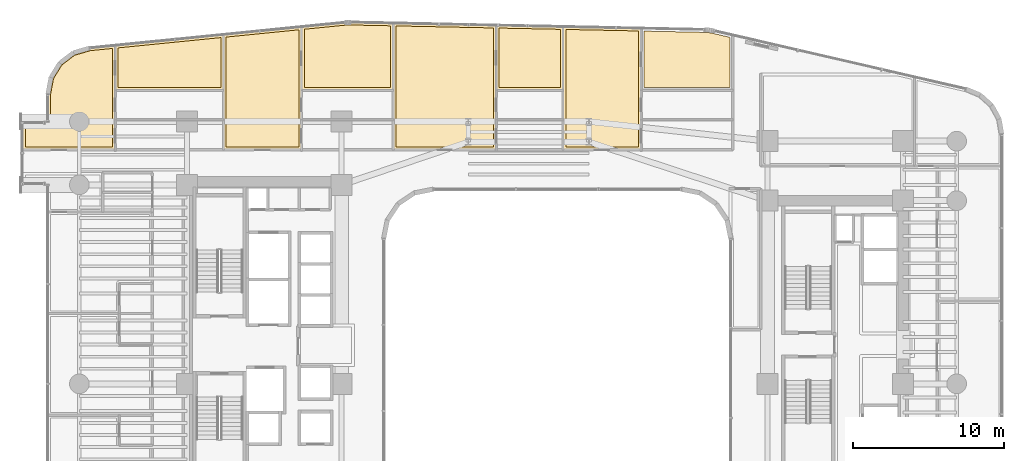
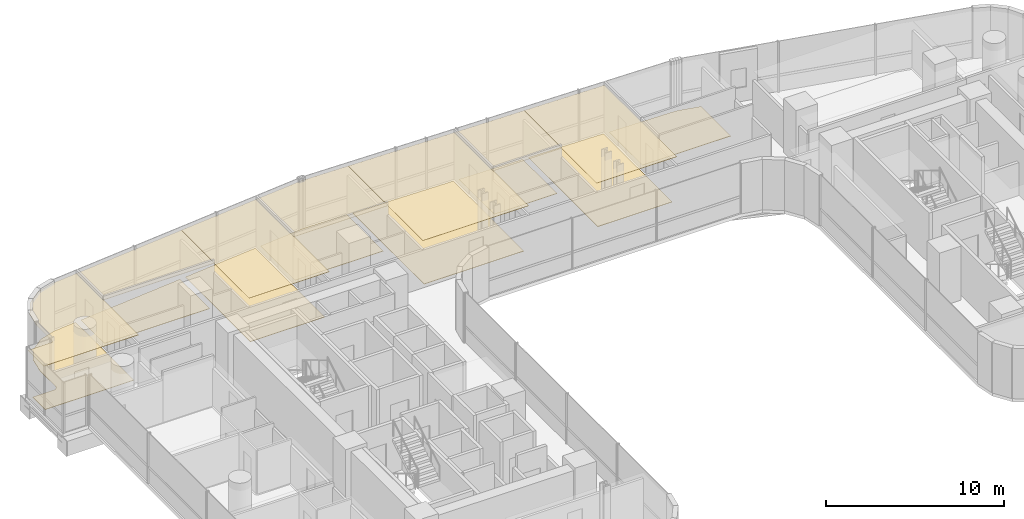
# One storey, part 41 of 42: 15 coverings.
"""IFC4 building model written with IfcOpenShell, lengths in metres."""

from ifc_helpers import new_model, si_unit, direction, frame, origin, place, context, subcontext, project, spatial, polyline, outline, extrude, material, layer, layer_set, type_object, element, save


model = new_model("IFC4")

# Units and contexts
model_context = context("Model", 3, precision=1e-05, world=origin(), true_north=direction((0.0, 1.0)))
body_context = subcontext(model_context, "Body", "Model", "MODEL_VIEW")
ifc_project = project(units=[si_unit("LENGTHUNIT", "METRE"), si_unit("AREAUNIT", "SQUARE_METRE"), si_unit("VOLUMEUNIT", "CUBIC_METRE"), si_unit("PLANEANGLEUNIT", "RADIAN"), si_unit("MASSUNIT", "GRAM", prefix="KILO")], contexts=[model_context])

# Site, building, storey
site_placement = place(None, origin())
site = spatial("IfcSite", under=ifc_project, at=site_placement, CompositionType="ELEMENT")
building_placement = place(site_placement, origin())
building = spatial("IfcBuilding", under=site, at=building_placement, Name="Valdorenza Pilgrim Sanctuary Tower", CompositionType="ELEMENT")
storey_placement = place(building_placement, frame((0.0, 0.0, 55.60009765625)))
storey = spatial("IfcBuildingStorey", under=building, at=storey_placement, Name="L13", CompositionType="ELEMENT", Elevation=55.60009765625)

# Coverings
ifc_material_1 = material(Name="Micro-perforated acoustic mineral ceiling tile", Category="gypsum")
ifc_layer_1 = layer(ifc_material_1, 0.02490234375, Name="Micro-perforated acoustic mineral ceiling tile")
ifc_layer_set_1 = layer_set([ifc_layer_1], Name="Micro-perforated acoustic mineral ceiling tile")
covering_type_1 = type_object("IfcCoveringType", Name="COV-CLG-ACU", PredefinedType="CEILING", material=ifc_layer_set_1)
covering_1_placement = place(storey_placement, frame((0.0, 0.0, 3.159912109375)))
element("IfcCovering", 1, at=covering_1_placement, inside=storey, type_object=covering_type_1, Name="L13 North Sanctuary Apartment L13-N1 Bedroom Acoustic Ceiling", PredefinedType="CEILING", context=body_context, shape_type="SweptSolid", body=[
    extrude(outline(polyline([(-27.421142578125, 16.85498046875), (-27.422607421875, 16.85498046875), (-27.424072265625, 16.855224609375), (-27.425537109375, 16.855712890625), (-27.4267578125, 16.856201171875), (-27.42822265625, 16.856689453125), (-27.429443359375, 16.857421875), (-27.4306640625, 16.8583984375), (-27.431640625, 16.859375), (-27.4326171875, 16.860595703125), (-27.43359375, 16.86181640625), (-27.434326171875, 16.86279296875), (-27.43505859375, 16.8642578125), (-27.435546875, 16.865478515625), (-27.435791015625, 16.8671875), (-27.43603515625, 16.868408203125), (-27.43603515625, 16.8701171875), (-27.43603515625, 19.847412109375), (-27.43603515625, 19.848876953125), (-27.435791015625, 19.850341796875), (-27.435546875, 19.851806640625), (-27.43505859375, 19.85302734375), (-27.434326171875, 19.8544921875), (-27.43359375, 19.855712890625), (-27.4326171875, 19.85693359375), (-27.431640625, 19.85791015625), (-27.4306640625, 19.85888671875), (-27.429443359375, 19.85986328125), (-27.42822265625, 19.860595703125), (-27.427001953125, 19.861083984375), (-27.425537109375, 19.86181640625), (-27.424072265625, 19.862060546875), (-27.422607421875, 19.8623046875), (-20.239501953125, 20.58056640625), (-20.238037109375, 20.580810546875), (-20.236572265625, 20.58056640625), (-20.235107421875, 20.580322265625), (-20.233642578125, 20.580078125), (-20.232421875, 20.57958984375), (-20.23095703125, 20.578857421875), (-20.229736328125, 20.578125), (-20.228515625, 20.577392578125), (-20.227294921875, 20.576416015625), (-20.226318359375, 20.5751953125), (-20.2255859375, 20.573974609375), (-20.224853515625, 20.57275390625), (-20.22412109375, 20.5712890625), (-20.2236328125, 20.570068359375), (-20.223388671875, 20.568603515625), (-20.22314453125, 20.567138671875), (-20.222900390625, 20.565673828125), (-20.222900390625, 16.8701171875), (-20.22314453125, 16.868408203125), (-20.223388671875, 16.8671875), (-20.2236328125, 16.865478515625), (-20.22412109375, 16.8642578125), (-20.224853515625, 16.86279296875), (-20.2255859375, 16.86181640625), (-20.226318359375, 16.860595703125), (-20.227294921875, 16.859375), (-20.228515625, 16.8583984375), (-20.229736328125, 16.857421875), (-20.23095703125, 16.856689453125), (-20.232421875, 16.856201171875), (-20.233642578125, 16.855712890625), (-20.235107421875, 16.855224609375), (-20.236572265625, 16.85498046875), (-20.238037109375, 16.85498046875), (-27.421142578125, 16.85498046875)])), origin(), (0.0, 0.0, 1.0), 0.02490234375),
])
covering_2_placement = place(storey_placement, frame((0.0, 0.0, 3.159912109375)))
element("IfcCovering", 2, at=covering_2_placement, inside=storey, type_object=covering_type_1, Name="L13 North Sanctuary Apartment L13-N1 Living Room Acoustic Ceiling", PredefinedType="CEILING", context=body_context, shape_type="SweptSolid", body=[
    extrude(outline(polyline([(-33.5400390625, 12.905029296875), (-33.54150390625, 12.905029296875), (-33.54296875, 12.9052734375), (-33.54443359375, 12.905517578125), (-33.545654296875, 12.906005859375), (-33.547119140625, 12.90673828125), (-33.54833984375, 12.907470703125), (-33.549560546875, 12.908447265625), (-33.550537109375, 12.909423828125), (-33.551513671875, 12.910400390625), (-33.552490234375, 12.91162109375), (-33.55322265625, 12.912841796875), (-33.553955078125, 12.914306640625), (-33.554443359375, 12.91552734375), (-33.5546875, 12.9169921875), (-33.554931640625, 12.91845703125), (-33.554931640625, 12.919921875), (-33.554931640625, 14.68994140625), (-33.554931640625, 14.69140625), (-33.5546875, 14.69287109375), (-33.554443359375, 14.6943359375), (-33.553955078125, 14.69580078125), (-33.55322265625, 14.697021484375), (-33.552490234375, 14.6982421875), (-33.551513671875, 14.699462890625), (-33.550537109375, 14.70068359375), (-33.549560546875, 14.70166015625), (-33.54833984375, 14.702392578125), (-33.547119140625, 14.703125), (-33.545654296875, 14.703857421875), (-33.54443359375, 14.704345703125), (-33.54296875, 14.70458984375), (-33.54150390625, 14.704833984375), (-33.5400390625, 14.705078125), (-32.00048828125, 14.705078125), (-31.99072265625, 14.70556640625), (-31.9814453125, 14.706787109375), (-31.972412109375, 14.708984375), (-31.963623046875, 14.712158203125), (-31.955078125, 14.71630859375), (-31.947265625, 14.720947265625), (-31.939697265625, 14.7265625), (-31.932861328125, 14.73291015625), (-31.926513671875, 14.73974609375), (-31.9208984375, 14.747314453125), (-31.916259765625, 14.755126953125), (-31.912109375, 14.763671875), (-31.9091796875, 14.7724609375), (-31.90673828125, 14.781494140625), (-31.905517578125, 14.790771484375), (-31.905029296875, 14.80029296875), (-31.905029296875, 16.593994140625), (-31.90478515625, 16.59521484375), (-31.90478515625, 16.5966796875), (-31.6962890625, 17.717041015625), (-31.696044921875, 17.718505859375), (-31.695556640625, 17.7197265625), (-31.695068359375, 17.720947265625), (-31.6943359375, 17.72216796875), (-31.102294921875, 18.68408203125), (-31.1015625, 18.685302734375), (-31.100830078125, 18.686279296875), (-31.099853515625, 18.687255859375), (-31.0986328125, 18.688232421875), (-30.20068359375, 19.372802734375), (-30.199462890625, 19.37353515625), (-30.1982421875, 19.374267578125), (-30.197021484375, 19.374755859375), (-30.19580078125, 19.375244140625), (-29.1015625, 19.694091796875), (-29.10009765625, 19.694580078125), (-29.098876953125, 19.694580078125), (-27.424560546875, 19.862060546875), (-27.423095703125, 19.8623046875), (-27.421630859375, 19.862060546875), (-27.420166015625, 19.86181640625), (-27.418701171875, 19.861572265625), (-27.41748046875, 19.861083984375), (-27.416015625, 19.8603515625), (-27.414794921875, 19.859619140625), (-27.41357421875, 19.85888671875), (-27.41259765625, 19.85791015625), (-27.41162109375, 19.856689453125), (-27.41064453125, 19.85546875), (-27.409912109375, 19.854248046875), (-27.4091796875, 19.852783203125), (-27.40869140625, 19.8515625), (-27.408447265625, 19.85009765625), (-27.408203125, 19.8486328125), (-27.408203125, 19.84716796875), (-27.408203125, 16.87548828125), (-27.40771484375, 16.875), (-27.4072265625, 16.87353515625), (-27.40673828125, 16.872314453125), (-27.406494140625, 16.870849609375), (-27.40625, 16.869384765625), (-27.406005859375, 16.867919921875), (-27.406005859375, 12.919921875), (-27.40625, 12.91845703125), (-27.406494140625, 12.9169921875), (-27.40673828125, 12.91552734375), (-27.4072265625, 12.914306640625), (-27.407958984375, 12.912841796875), (-27.40869140625, 12.91162109375), (-27.409423828125, 12.910400390625), (-27.410400390625, 12.909423828125), (-27.41162109375, 12.908447265625), (-27.412841796875, 12.907470703125), (-27.4140625, 12.90673828125), (-27.415283203125, 12.906005859375), (-27.416748046875, 12.905517578125), (-27.418212890625, 12.9052734375), (-27.419677734375, 12.905029296875), (-27.421142578125, 12.905029296875), (-33.5400390625, 12.905029296875)])), origin(), (0.0, 0.0, 1.0), 0.02490234375),
])
covering_3_placement = place(storey_placement, frame((0.0, 0.0, 3.159912109375)))
element("IfcCovering", 3, at=covering_3_placement, inside=storey, type_object=covering_type_1, Name="L13 North Sanctuary Apartment L13-N2 Bedroom Acoustic Ceiling", PredefinedType="CEILING", context=body_context, shape_type="SweptSolid", body=[
    extrude(outline(polyline([(-15.056884765625, 16.85498046875), (-15.05859375, 16.85498046875), (-15.059814453125, 16.855224609375), (-15.061279296875, 16.855712890625), (-15.062744140625, 16.856201171875), (-15.064208984375, 16.856689453125), (-15.065185546875, 16.857421875), (-15.06640625, 16.8583984375), (-15.067626953125, 16.859375), (-15.068603515625, 16.860595703125), (-15.069580078125, 16.86181640625), (-15.0703125, 16.86279296875), (-15.07080078125, 16.8642578125), (-15.0712890625, 16.865478515625), (-15.07177734375, 16.8671875), (-15.072021484375, 16.868408203125), (-15.072021484375, 16.8701171875), (-15.072021484375, 21.083740234375), (-15.072021484375, 21.085205078125), (-15.07177734375, 21.086669921875), (-15.0712890625, 21.088134765625), (-15.07080078125, 21.089599609375), (-15.0703125, 21.0908203125), (-15.069580078125, 21.092041015625), (-15.068603515625, 21.09326171875), (-15.067626953125, 21.094482421875), (-15.06640625, 21.095458984375), (-15.065185546875, 21.09619140625), (-15.064208984375, 21.096923828125), (-15.062744140625, 21.09765625), (-15.061279296875, 21.09814453125), (-15.059814453125, 21.098388671875), (-15.05859375, 21.0986328125), (-12.18359375, 21.38623046875), (-12.183349609375, 21.38623046875), (-12.089599609375, 21.39404296875), (-12.089111328125, 21.39404296875), (-11.996337890625, 21.399169921875), (-11.995849609375, 21.3994140625), (-11.902587890625, 21.401611328125), (-11.90234375, 21.401611328125), (-11.808349609375, 21.40087890625), (-11.80810546875, 21.40087890625), (-8.974609375, 21.342041015625), (-8.97314453125, 21.341796875), (-8.9716796875, 21.341552734375), (-8.970458984375, 21.34130859375), (-8.968994140625, 21.3408203125), (-8.9677734375, 21.340087890625), (-8.966552734375, 21.33935546875), (-8.96533203125, 21.33837890625), (-8.96435546875, 21.33740234375), (-8.96337890625, 21.33642578125), (-8.96240234375, 21.335205078125), (-8.961669921875, 21.333984375), (-8.961181640625, 21.33251953125), (-8.960693359375, 21.331298828125), (-8.960205078125, 21.329833984375), (-8.960205078125, 21.328369140625), (-8.9599609375, 21.326904296875), (-8.9599609375, 16.8701171875), (-8.960205078125, 16.868408203125), (-8.960205078125, 16.8671875), (-8.960693359375, 16.865478515625), (-8.961181640625, 16.8642578125), (-8.9619140625, 16.86279296875), (-8.96240234375, 16.86181640625), (-8.96337890625, 16.860595703125), (-8.96435546875, 16.859375), (-8.965576171875, 16.8583984375), (-8.966796875, 16.857421875), (-8.968017578125, 16.856689453125), (-8.96923828125, 16.856201171875), (-8.970703125, 16.855712890625), (-8.97216796875, 16.855224609375), (-8.973388671875, 16.85498046875), (-8.97509765625, 16.85498046875), (-15.056884765625, 16.85498046875)])), origin(), (0.0, 0.0, 1.0), 0.02490234375),
])
covering_4_placement = place(storey_placement, frame((0.0, 0.0, 3.159912109375)))
element("IfcCovering", 4, at=covering_4_placement, inside=storey, type_object=covering_type_1, Name="L13 North Sanctuary Apartment L13-N2 Living Room Acoustic Ceiling", PredefinedType="CEILING", context=body_context, shape_type="SweptSolid", body=[
    extrude(outline(polyline([(-20.2509765625, 14.918212890625), (-20.251220703125, 14.9189453125), (-20.251220703125, 14.92041015625), (-20.251220703125, 14.922119140625), (-20.251220703125, 14.923583984375), (-20.2509765625, 14.923828125), (-20.2509765625, 16.8662109375), (-20.251220703125, 16.866943359375), (-20.251220703125, 16.868408203125), (-20.251220703125, 16.8701171875), (-20.251220703125, 16.87158203125), (-20.2509765625, 16.871826171875), (-20.2509765625, 20.565673828125), (-20.2509765625, 20.565673828125), (-20.2509765625, 20.566650390625), (-20.250732421875, 20.568115234375), (-20.25048828125, 20.569580078125), (-20.25, 20.571044921875), (-20.24951171875, 20.572509765625), (-20.248779296875, 20.573974609375), (-20.247802734375, 20.5751953125), (-20.246826171875, 20.576171875), (-20.24560546875, 20.577392578125), (-20.244384765625, 20.578125), (-20.243408203125, 20.5791015625), (-20.241943359375, 20.57958984375), (-20.240478515625, 20.580078125), (-20.239013671875, 20.58056640625), (-20.237548828125, 20.580810546875), (-15.060546875, 21.098388671875), (-15.05908203125, 21.0986328125), (-15.0576171875, 21.098388671875), (-15.05615234375, 21.098388671875), (-15.0546875, 21.097900390625), (-15.05322265625, 21.097412109375), (-15.052001953125, 21.0966796875), (-15.05078125, 21.095947265625), (-15.049560546875, 21.09521484375), (-15.04833984375, 21.09423828125), (-15.04736328125, 21.093017578125), (-15.04638671875, 21.091796875), (-15.0458984375, 21.090576171875), (-15.045166015625, 21.08935546875), (-15.044677734375, 21.087890625), (-15.044189453125, 21.08642578125), (-15.044189453125, 21.0849609375), (-15.0439453125, 21.08349609375), (-15.0439453125, 16.87548828125), (-15.043701171875, 16.875), (-15.043212890625, 16.87353515625), (-15.04248046875, 16.872314453125), (-15.042236328125, 16.870849609375), (-15.0419921875, 16.869384765625), (-15.0419921875, 16.867919921875), (-15.0419921875, 12.919921875), (-15.0419921875, 12.91845703125), (-15.042236328125, 12.9169921875), (-15.04248046875, 12.91552734375), (-15.043212890625, 12.914306640625), (-15.043701171875, 12.912841796875), (-15.04443359375, 12.91162109375), (-15.04541015625, 12.910400390625), (-15.04638671875, 12.909423828125), (-15.047607421875, 12.908447265625), (-15.048583984375, 12.907470703125), (-15.0498046875, 12.90673828125), (-15.05126953125, 12.906005859375), (-15.052490234375, 12.905517578125), (-15.05419921875, 12.9052734375), (-15.055419921875, 12.905029296875), (-15.056884765625, 12.905029296875), (-20.236083984375, 12.905029296875), (-20.237548828125, 12.905029296875), (-20.239013671875, 12.9052734375), (-20.240478515625, 12.905517578125), (-20.24169921875, 12.906005859375), (-20.2431640625, 12.90673828125), (-20.244384765625, 12.907470703125), (-20.24560546875, 12.908447265625), (-20.24658203125, 12.909423828125), (-20.24755859375, 12.910400390625), (-20.24853515625, 12.91162109375), (-20.249267578125, 12.912841796875), (-20.25, 12.914306640625), (-20.25048828125, 12.91552734375), (-20.250732421875, 12.9169921875), (-20.2509765625, 12.91845703125), (-20.2509765625, 12.919921875), (-20.2509765625, 14.918212890625)])), origin(), (0.0, 0.0, 1.0), 0.02490234375),
])
covering_5_placement = place(storey_placement, frame((0.0, 0.0, 3.159912109375)))
element("IfcCovering", 5, at=covering_5_placement, inside=storey, type_object=covering_type_1, Name="L13 North Sanctuary Apartment L13-N3 Bedroom Acoustic Ceiling", PredefinedType="CEILING", context=body_context, shape_type="SweptSolid", body=[
    extrude(outline(polyline([(-2.14453125, 16.85498046875), (-2.14599609375, 16.85498046875), (-2.1474609375, 16.855224609375), (-2.14892578125, 16.855712890625), (-2.150146484375, 16.856201171875), (-2.151611328125, 16.856689453125), (-2.15283203125, 16.857421875), (-2.154052734375, 16.8583984375), (-2.155029296875, 16.859375), (-2.156005859375, 16.860595703125), (-2.156982421875, 16.86181640625), (-2.15771484375, 16.86279296875), (-2.158447265625, 16.8642578125), (-2.158935546875, 16.865478515625), (-2.1591796875, 16.8671875), (-2.159423828125, 16.868408203125), (-2.159423828125, 16.8701171875), (-2.159423828125, 21.184814453125), (-2.159423828125, 21.186279296875), (-2.1591796875, 21.1875), (-2.15869140625, 21.189208984375), (-2.158203125, 21.1904296875), (-2.15771484375, 21.19189453125), (-2.156982421875, 21.193115234375), (-2.156005859375, 21.1943359375), (-2.155029296875, 21.1953125), (-2.15380859375, 21.1962890625), (-2.152587890625, 21.197265625), (-2.1513671875, 21.197998046875), (-2.14990234375, 21.198486328125), (-2.148681640625, 21.19921875), (-2.147216796875, 21.199462890625), (-2.145751953125, 21.19970703125), (-2.144287109375, 21.19970703125), (2.287353515625, 21.107421875), (2.288818359375, 21.107177734375), (2.290283203125, 21.10693359375), (2.29150390625, 21.106689453125), (2.29296875, 21.106201171875), (2.294189453125, 21.10546875), (2.29541015625, 21.104736328125), (2.296630859375, 21.103759765625), (2.297607421875, 21.102783203125), (2.298583984375, 21.101806640625), (2.299560546875, 21.1005859375), (2.30029296875, 21.099365234375), (2.30078125, 21.097900390625), (2.301513671875, 21.0966796875), (2.3017578125, 21.09521484375), (2.302001953125, 21.09375), (2.302001953125, 21.09228515625), (2.302001953125, 16.8701171875), (2.302001953125, 16.868408203125), (2.3017578125, 16.8671875), (2.301513671875, 16.865478515625), (2.30078125, 16.8642578125), (2.30029296875, 16.86279296875), (2.299560546875, 16.86181640625), (2.298583984375, 16.860595703125), (2.297607421875, 16.859375), (2.29638671875, 16.8583984375), (2.29541015625, 16.857421875), (2.294189453125, 16.856689453125), (2.292724609375, 16.856201171875), (2.29150390625, 16.855712890625), (2.289794921875, 16.855224609375), (2.28857421875, 16.85498046875), (2.287109375, 16.85498046875), (-2.14453125, 16.85498046875)])), origin(), (0.0, 0.0, 1.0), 0.02490234375),
])
covering_6_placement = place(storey_placement, frame((0.0, 0.0, 3.159912109375)))
element("IfcCovering", 6, at=covering_6_placement, inside=storey, type_object=covering_type_1, Name="L13 North Sanctuary Apartment L13-N3 Living Room Acoustic Ceiling", PredefinedType="CEILING", context=body_context, shape_type="SweptSolid", body=[
    extrude(outline(polyline([(-8.988037109375, 14.918212890625), (-8.988037109375, 14.9189453125), (-8.98828125, 14.92041015625), (-8.98828125, 14.922119140625), (-8.988037109375, 14.923583984375), (-8.988037109375, 14.923828125), (-8.988037109375, 16.8662109375), (-8.988037109375, 16.866943359375), (-8.98828125, 16.868408203125), (-8.98828125, 16.8701171875), (-8.988037109375, 16.87158203125), (-8.988037109375, 16.871826171875), (-8.988037109375, 21.326904296875), (-8.98779296875, 21.328369140625), (-8.98779296875, 21.329833984375), (-8.9873046875, 21.331298828125), (-8.98681640625, 21.332763671875), (-8.986083984375, 21.333984375), (-8.9853515625, 21.33544921875), (-8.984619140625, 21.336669921875), (-8.9833984375, 21.337646484375), (-8.982421875, 21.338623046875), (-8.981201171875, 21.339599609375), (-8.97998046875, 21.34033203125), (-8.978515625, 21.3408203125), (-8.97705078125, 21.34130859375), (-8.9755859375, 21.341796875), (-8.97412109375, 21.341796875), (-8.97265625, 21.341796875), (-2.146240234375, 21.19970703125), (-2.144775390625, 21.19970703125), (-2.143310546875, 21.199462890625), (-2.141845703125, 21.198974609375), (-2.140380859375, 21.198486328125), (-2.13916015625, 21.19775390625), (-2.137939453125, 21.197021484375), (-2.13671875, 21.1962890625), (-2.1357421875, 21.1953125), (-2.134765625, 21.194091796875), (-2.134033203125, 21.19287109375), (-2.13330078125, 21.191650390625), (-2.132568359375, 21.1904296875), (-2.132080078125, 21.18896484375), (-2.1318359375, 21.1875), (-2.131591796875, 21.186279296875), (-2.131591796875, 21.184814453125), (-2.131591796875, 16.87548828125), (-2.131103515625, 16.875), (-2.130615234375, 16.87353515625), (-2.130126953125, 16.872314453125), (-2.1298828125, 16.870849609375), (-2.129638671875, 16.869384765625), (-2.12939453125, 16.867919921875), (-2.12939453125, 12.919921875), (-2.129638671875, 12.91845703125), (-2.1298828125, 12.9169921875), (-2.130126953125, 12.91552734375), (-2.130615234375, 12.914306640625), (-2.13134765625, 12.912841796875), (-2.132080078125, 12.91162109375), (-2.1328125, 12.910400390625), (-2.1337890625, 12.909423828125), (-2.135009765625, 12.908447265625), (-2.13623046875, 12.907470703125), (-2.137451171875, 12.90673828125), (-2.138916015625, 12.906005859375), (-2.14013671875, 12.905517578125), (-2.1416015625, 12.9052734375), (-2.14306640625, 12.905029296875), (-2.14453125, 12.905029296875), (-8.972900390625, 12.905029296875), (-8.974609375, 12.905029296875), (-8.975830078125, 12.9052734375), (-8.977294921875, 12.905517578125), (-8.978759765625, 12.906005859375), (-8.97998046875, 12.90673828125), (-8.981201171875, 12.907470703125), (-8.982421875, 12.908447265625), (-8.983642578125, 12.909423828125), (-8.984619140625, 12.910400390625), (-8.985595703125, 12.91162109375), (-8.986083984375, 12.912841796875), (-8.98681640625, 12.914306640625), (-8.9873046875, 12.91552734375), (-8.98779296875, 12.9169921875), (-8.98779296875, 12.91845703125), (-8.988037109375, 12.919921875), (-8.988037109375, 14.918212890625)])), origin(), (0.0, 0.0, 1.0), 0.02490234375),
])
covering_7_placement = place(storey_placement, frame((0.0, 0.0, 3.159912109375)))
element("IfcCovering", 7, at=covering_7_placement, inside=storey, type_object=covering_type_1, Name="L13 North Sanctuary Apartment L13-N4 Living Room Acoustic Ceiling", PredefinedType="CEILING", context=body_context, shape_type="SweptSolid", body=[
    extrude(outline(polyline([(2.27392578125, 14.918212890625), (2.27392578125, 14.9189453125), (2.273681640625, 14.92041015625), (2.273681640625, 14.922119140625), (2.27392578125, 14.923583984375), (2.27392578125, 14.923828125), (2.27392578125, 16.8662109375), (2.27392578125, 16.866943359375), (2.273681640625, 16.868408203125), (2.273681640625, 16.8701171875), (2.27392578125, 16.87158203125), (2.27392578125, 16.871826171875), (2.27392578125, 21.09228515625), (2.274169921875, 21.09375), (2.2744140625, 21.09521484375), (2.274658203125, 21.0966796875), (2.275146484375, 21.097900390625), (2.27587890625, 21.099365234375), (2.276611328125, 21.1005859375), (2.27734375, 21.101806640625), (2.2783203125, 21.102783203125), (2.279541015625, 21.10400390625), (2.28076171875, 21.104736328125), (2.281982421875, 21.10546875), (2.283203125, 21.106201171875), (2.28466796875, 21.106689453125), (2.2861328125, 21.10693359375), (2.28759765625, 21.107177734375), (2.2890625, 21.107421875), (2.289306640625, 21.107421875), (2.28955078125, 21.107421875), (7.46630859375, 20.99951171875), (7.4677734375, 20.999267578125), (7.46923828125, 20.9990234375), (7.470703125, 20.998779296875), (7.471923828125, 20.998291015625), (7.473388671875, 20.99755859375), (7.474609375, 20.996826171875), (7.4755859375, 20.995849609375), (7.476806640625, 20.994873046875), (7.477783203125, 20.993896484375), (7.478515625, 20.99267578125), (7.479248046875, 20.991455078125), (7.47998046875, 20.989990234375), (7.48046875, 20.98876953125), (7.480712890625, 20.9873046875), (7.48095703125, 20.98583984375), (7.48095703125, 20.984375), (7.48095703125, 16.87548828125), (7.481201171875, 16.875), (7.48193359375, 16.87353515625), (7.482421875, 16.872314453125), (7.482666015625, 16.870849609375), (7.48291015625, 16.869384765625), (7.48291015625, 16.867919921875), (7.48291015625, 12.919921875), (7.48291015625, 12.91845703125), (7.482666015625, 12.9169921875), (7.482421875, 12.91552734375), (7.48193359375, 12.914306640625), (7.481201171875, 12.912841796875), (7.48046875, 12.91162109375), (7.4794921875, 12.910400390625), (7.478515625, 12.909423828125), (7.4775390625, 12.908447265625), (7.476318359375, 12.907470703125), (7.47509765625, 12.90673828125), (7.4736328125, 12.906005859375), (7.472412109375, 12.905517578125), (7.470947265625, 12.9052734375), (7.469482421875, 12.905029296875), (7.468017578125, 12.905029296875), (2.2890625, 12.905029296875), (2.28759765625, 12.905029296875), (2.2861328125, 12.9052734375), (2.28466796875, 12.905517578125), (2.283203125, 12.906005859375), (2.281982421875, 12.90673828125), (2.28076171875, 12.907470703125), (2.279541015625, 12.908447265625), (2.2783203125, 12.909423828125), (2.27734375, 12.910400390625), (2.276611328125, 12.91162109375), (2.27587890625, 12.912841796875), (2.275146484375, 12.914306640625), (2.274658203125, 12.91552734375), (2.2744140625, 12.9169921875), (2.274169921875, 12.91845703125), (2.27392578125, 12.919921875), (2.27392578125, 14.918212890625)])), origin(), (0.0, 0.0, 1.0), 0.02490234375),
])
ifc_material_2 = material(Name="Engineered European oak timber flooring", Category="wood")
ifc_layer_2 = layer(ifc_material_2, 0.02197265625, Name="Engineered European oak timber flooring")
ifc_layer_set_2 = layer_set([ifc_layer_2], Name="Engineered European oak timber flooring")
covering_type_2 = type_object("IfcCoveringType", Name="COV-FLR-OAK", PredefinedType="FLOORING", material=ifc_layer_set_2)
covering_8_placement = place(storey_placement, origin())
element("IfcCovering", 8, at=covering_8_placement, inside=storey, type_object=covering_type_2, Name="L13 North Sanctuary Apartment L13-N1 Bedroom Flooring", PredefinedType="FLOORING", context=body_context, shape_type="SweptSolid", body=[
    extrude(outline(polyline([(-27.2412109375, 17.050048828125), (-27.2412109375, 19.6845703125), (-20.41796875, 20.36669921875), (-20.41796875, 17.050048828125), (-27.2412109375, 17.050048828125)])), origin(), (0.0, 0.0, 1.0), 0.02490234375),
])
covering_9_placement = place(storey_placement, origin())
element("IfcCovering", 9, at=covering_9_placement, inside=storey, type_object=covering_type_2, Name="L13 North Sanctuary Apartment L13-N1 Living Room Flooring", PredefinedType="FLOORING", context=body_context, shape_type="SweptSolid", body=[
    extrude(outline(polyline([(-33.360107421875, 13.10009765625), (-33.360107421875, 14.510009765625), (-32.0, 14.510009765625), (-31.9912109375, 14.51025390625), (-31.98046875, 14.5107421875), (-31.962890625, 14.512451171875), (-31.9521484375, 14.51416015625), (-31.934814453125, 14.517578125), (-31.92431640625, 14.52001953125), (-31.907470703125, 14.525390625), (-31.897216796875, 14.52880859375), (-31.880859375, 14.53564453125), (-31.87109375, 14.540283203125), (-31.855712890625, 14.548583984375), (-31.84619140625, 14.55419921875), (-31.831787109375, 14.56396484375), (-31.822998046875, 14.5703125), (-31.809326171875, 14.58154296875), (-31.80126953125, 14.5888671875), (-31.788818359375, 14.601318359375), (-31.781494140625, 14.609375), (-31.7705078125, 14.623046875), (-31.763916015625, 14.631591796875), (-31.754150390625, 14.646240234375), (-31.74853515625, 14.655517578125), (-31.740234375, 14.671142578125), (-31.735595703125, 14.680908203125), (-31.72900390625, 14.697265625), (-31.725341796875, 14.70751953125), (-31.72021484375, 14.724365234375), (-31.717529296875, 14.73486328125), (-31.714111328125, 14.752197265625), (-31.71240234375, 14.7626953125), (-31.710693359375, 14.780517578125), (-31.710205078125, 14.791259765625), (-31.7099609375, 14.800048828125), (-31.7099609375, 16.577392578125), (-31.5107421875, 17.6484375), (-30.953857421875, 18.553466796875), (-30.109130859375, 19.197509765625), (-29.06298828125, 19.502197265625), (-27.60302734375, 19.648193359375), (-27.60302734375, 16.8701171875), (-27.601318359375, 13.10009765625), (-33.360107421875, 13.10009765625)])), origin(), (0.0, 0.0, 1.0), 0.02490234375),
])
covering_10_placement = place(storey_placement, origin())
element("IfcCovering", 10, at=covering_10_placement, inside=storey, type_object=covering_type_2, Name="L13 North Sanctuary Apartment L13-N2 Bedroom Flooring", PredefinedType="FLOORING", context=body_context, shape_type="SweptSolid", body=[
    extrude(outline(polyline([(-14.876953125, 17.050048828125), (-14.876953125, 20.9208984375), (-12.16552734375, 21.19189453125), (-12.07568359375, 21.19970703125), (-11.98828125, 21.204345703125), (-11.900634765625, 21.20654296875), (-11.810791015625, 21.2060546875), (-9.155029296875, 21.150634765625), (-9.155029296875, 17.050048828125), (-14.876953125, 17.050048828125)])), origin(), (0.0, 0.0, 1.0), 0.02490234375),
])
covering_11_placement = place(storey_placement, origin())
element("IfcCovering", 11, at=covering_11_placement, inside=storey, type_object=covering_type_2, Name="L13 North Sanctuary Apartment L13-N2 Living Room Flooring", PredefinedType="FLOORING", context=body_context, shape_type="SweptSolid", body=[
    extrude(outline(polyline([(-20.055908203125, 14.921630859375), (-20.055908203125, 14.922119140625), (-20.055908203125, 16.867919921875), (-20.055908203125, 16.868896484375), (-20.055908203125, 16.86962890625), (-20.055908203125, 16.8701171875), (-20.055908203125, 20.40283203125), (-15.239013671875, 20.884765625), (-15.239013671875, 16.8701171875), (-15.237060546875, 13.10009765625), (-20.055908203125, 13.10009765625), (-20.055908203125, 14.919921875), (-20.055908203125, 14.9208984375), (-20.055908203125, 14.921630859375)])), origin(), (0.0, 0.0, 1.0), 0.02490234375),
])
covering_12_placement = place(storey_placement, origin())
element("IfcCovering", 12, at=covering_12_placement, inside=storey, type_object=covering_type_2, Name="L13 North Sanctuary Apartment L13-N3 Bedroom Flooring", PredefinedType="FLOORING", context=body_context, shape_type="SweptSolid", body=[
    extrude(outline(polyline([(-1.964599609375, 17.050048828125), (-1.964599609375, 21.0009765625), (2.10693359375, 20.916015625), (2.10693359375, 17.050048828125), (-1.964599609375, 17.050048828125)])), origin(), (0.0, 0.0, 1.0), 0.02490234375),
])
covering_13_placement = place(storey_placement, origin())
element("IfcCovering", 13, at=covering_13_placement, inside=storey, type_object=covering_type_2, Name="L13 North Sanctuary Apartment L13-N3 Living Room Flooring", PredefinedType="FLOORING", context=body_context, shape_type="SweptSolid", body=[
    extrude(outline(polyline([(-8.79296875, 14.921630859375), (-8.79296875, 14.922119140625), (-8.79296875, 16.867919921875), (-8.79296875, 16.868896484375), (-8.79296875, 16.86962890625), (-8.79296875, 16.8701171875), (-8.79296875, 21.14306640625), (-2.326416015625, 21.00830078125), (-2.326416015625, 16.8701171875), (-2.32470703125, 13.10009765625), (-8.79296875, 13.10009765625), (-8.79296875, 14.919921875), (-8.79296875, 14.9208984375), (-8.79296875, 14.921630859375)])), origin(), (0.0, 0.0, 1.0), 0.02490234375),
])
covering_14_placement = place(storey_placement, origin())
element("IfcCovering", 14, at=covering_14_placement, inside=storey, type_object=covering_type_2, Name="L13 North Sanctuary Apartment L13-N4 Bedroom Flooring", PredefinedType="FLOORING", context=body_context, shape_type="SweptSolid", body=[
    extrude(outline(polyline([(7.64794921875, 17.050048828125), (7.64794921875, 20.800537109375), (11.65966796875, 20.717041015625), (11.81298828125, 20.7099609375), (11.962158203125, 20.6953125), (12.110107421875, 20.6728515625), (12.2607421875, 20.64208984375), (13.3701171875, 20.38623046875), (13.3701171875, 17.050048828125), (7.64794921875, 17.050048828125)])), origin(), (0.0, 0.0, 1.0), 0.02490234375),
])
covering_15_placement = place(storey_placement, origin())
element("IfcCovering", 15, at=covering_15_placement, inside=storey, type_object=covering_type_2, Name="L13 North Sanctuary Apartment L13-N4 Living Room Flooring", PredefinedType="FLOORING", context=body_context, shape_type="SweptSolid", body=[
    extrude(outline(polyline([(2.468994140625, 14.921630859375), (2.468994140625, 14.922119140625), (2.468994140625, 16.867919921875), (2.468994140625, 16.868896484375), (2.468994140625, 16.86962890625), (2.468994140625, 16.8701171875), (2.468994140625, 20.908447265625), (7.285888671875, 20.80810546875), (7.285888671875, 16.8701171875), (7.287841796875, 13.10009765625), (2.468994140625, 13.10009765625), (2.468994140625, 14.919921875), (2.468994140625, 14.9208984375), (2.468994140625, 14.921630859375)])), origin(), (0.0, 0.0, 1.0), 0.02490234375),
])

save(model, "model.ifc")
